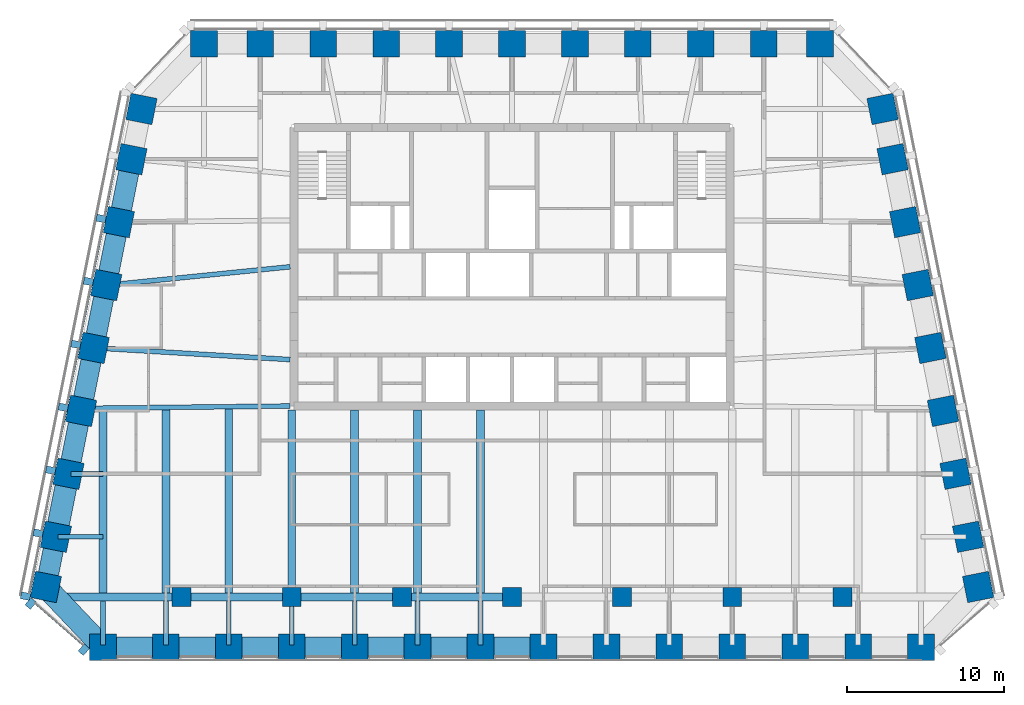
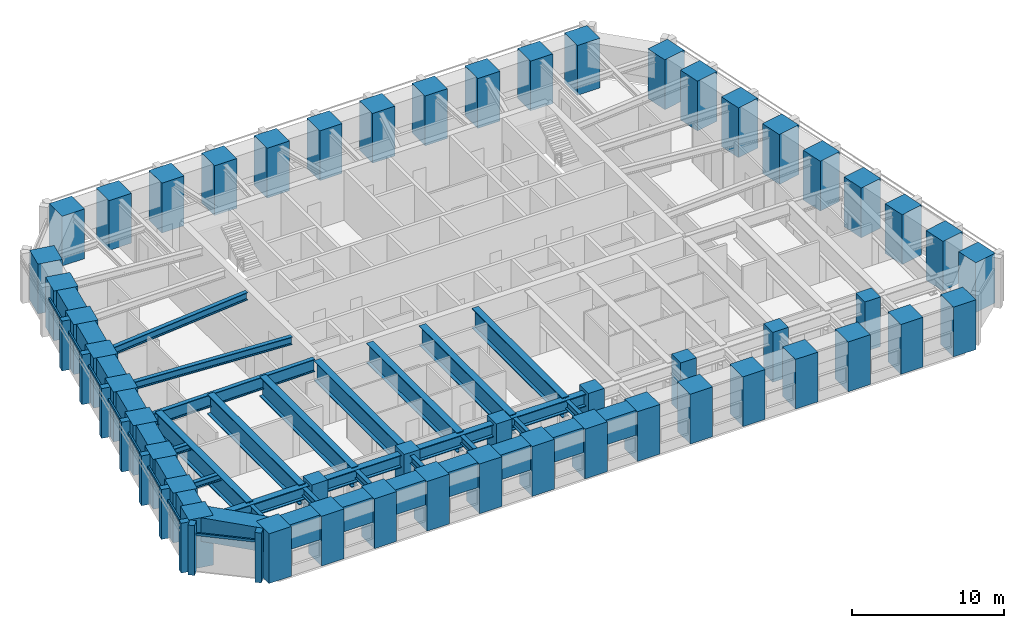
# One storey, part 1 of 13: 50 columns, 38 beams, 17 members, 2 elements without a shape of their own.
"""IFC4 building model written with IfcOpenShell, lengths in metres."""

from ifc_helpers import new_model, si_unit, direction, frame, origin, origin_2d, place, context, subcontext, project, spatial, rectangle, i_section, extrude, material, material_profile, profile_set, type_object, element, aggregate, save


model = new_model("IFC4")

# Units and contexts
model_context = context("Model", 3, precision=1e-05, world=origin(), true_north=direction((0.0, 1.0)))
body_context = subcontext(model_context, "Body", "Model", "MODEL_VIEW")
ifc_project = project(units=[si_unit("LENGTHUNIT", "METRE"), si_unit("AREAUNIT", "SQUARE_METRE"), si_unit("VOLUMEUNIT", "CUBIC_METRE"), si_unit("PLANEANGLEUNIT", "RADIAN"), si_unit("MASSUNIT", "GRAM", prefix="KILO")], contexts=[model_context])

# Site, building, storey
site_placement = place(None, origin())
site = spatial("IfcSite", under=ifc_project, at=site_placement, CompositionType="ELEMENT")
building_placement = place(site_placement, origin())
building = spatial("IfcBuilding", under=site, at=building_placement, Name="Isbrekke Arena Tower", CompositionType="ELEMENT")
storey_placement = place(building_placement, frame((0.0, 0.0, 280.0)))
storey = spatial("IfcBuildingStorey", under=building, at=storey_placement, Name="L65", CompositionType="ELEMENT", Elevation=280.0)

# Columns
ifc_material_1 = material(Name="Concrete B55 (C55/67)", Category="concrete")
ifc_material_profile_1 = material_profile(ifc_material_1, rectangle(XDim=1.199951171875, YDim=1.199951171875, at=origin_2d()), Name="RC 1200x1200")
ifc_profile_set_1 = profile_set([ifc_material_profile_1], Name="Concrete B55 (C55/67)")
column_type_1 = type_object("IfcColumnType", Name="C14 RC 1200 x 1200", PredefinedType="COLUMN", material=ifc_profile_set_1)
for number, where, z_axis, x_axis, name in (
    (1, (-21.0, -6.0, 0.0), (0.0, 0.0, 1.0), (1.0, 0.0, 0.0), "C14 I01"),
    (2, (-14.0, -6.0, 0.0), (0.0, 0.0, 1.0), (1.0, 0.0, 0.0), "C14 I02"),
    (3, (-7.0, -6.0, 0.0), (0.0, 0.0, 1.0), (1.0, 0.0, 0.0), "C14 I03"),
    (4, (0.0, -6.0, 0.0), (0.0, 0.0, 1.0), (1.0, 0.0, 0.0), "C14 I04"),
    (5, (7.0, -6.0, 0.0), (0.0, 0.0, 1.0), (1.0, 0.0, 0.0), "C14 I05"),
    (6, (14.0, -6.0, 0.0), (0.0, 0.0, 1.0), (1.0, 0.0, 0.0), "C14 I06"),
    (7, (21.0, -6.0, 0.0), (0.0, 0.0, 1.0), (1.0, 0.0, 0.0), "C14 I07"),
):
    element("IfcColumn", number, at=place(storey_placement, frame(where, z_axis=z_axis, x_axis=x_axis)), inside=storey, type_object=column_type_1, Name=name, PredefinedType="COLUMN", context=body_context, shape_type="SweptSolid", body=[
        extrude(rectangle(XDim=1.199951171875, YDim=1.199951171875, at=origin_2d()), origin(), (0.0, 0.0, 1.0), 4.0),
    ])
ifc_material_2 = material(Name="Concrete B55 (C55/67)", Category="concrete")
ifc_material_profile_2 = material_profile(ifc_material_2, rectangle(XDim=1.699951171875, YDim=1.699951171875, at=origin_2d()), Name="RC 1700x1700")
ifc_profile_set_2 = profile_set([ifc_material_profile_2], Name="Concrete B55 (C55/67)")
column_type_2 = type_object("IfcColumnType", Name="C5 RC 1700 x 1700", PredefinedType="COLUMN", material=ifc_profile_set_2)
for number, where, z_axis, x_axis, name in (
    (8, (-26.0, -9.175048828125, 0.0), (0.0, 0.0, 1.0), (1.0, 0.0, 0.0), "C5 S01"),
    (9, (-22.0, -9.175048828125, 0.0), (0.0, 0.0, 1.0), (1.0, 0.0, 0.0), "C5 S02"),
    (10, (-18.0, -9.175048828125, 0.0), (0.0, 0.0, 1.0), (1.0, 0.0, 0.0), "C5 S03"),
    (11, (-14.0, -9.175048828125, 0.0), (0.0, 0.0, 1.0), (1.0, 0.0, 0.0), "C5 S04"),
    (12, (-10.0, -9.175048828125, 0.0), (0.0, 0.0, 1.0), (1.0, 0.0, 0.0), "C5 S05"),
    (13, (-6.0, -9.175048828125, 0.0), (0.0, 0.0, 1.0), (1.0, 0.0, 0.0), "C5 S06"),
    (14, (-2.0, -9.175048828125, 0.0), (0.0, 0.0, 1.0), (1.0, 0.0, 0.0), "C5 S07"),
    (15, (2.0, -9.175048828125, 0.0), (0.0, 0.0, 1.0), (1.0, 0.0, 0.0), "C5 S08"),
    (16, (6.0, -9.175048828125, 0.0), (0.0, 0.0, 1.0), (1.0, 0.0, 0.0), "C5 S09"),
    (17, (10.0, -9.175048828125, 0.0), (0.0, 0.0, 1.0), (1.0, 0.0, 0.0), "C5 S10"),
    (18, (14.0, -9.175048828125, 0.0), (0.0, 0.0, 1.0), (1.0, 0.0, 0.0), "C5 S11"),
    (19, (18.0, -9.175048828125, 0.0), (0.0, 0.0, 1.0), (1.0, 0.0, 0.0), "C5 S12"),
    (20, (22.0, -9.175048828125, 0.0), (0.0, 0.0, 1.0), (1.0, 0.0, 0.0), "C5 S13"),
    (21, (26.0, -9.175048828125, 0.0), (0.0, 0.0, 1.0), (1.0, 0.0, 0.0), "C5 S14"),
    (22, (29.629150390625, -5.352783203125, 0.0), (0.0, 0.0, 1.0), (-0.196116135138, 0.980580675691, 0.0), "C5 E01"),
    (23, (28.990966796875, -2.161865234375, 0.0), (0.0, 0.0, 1.0), (-0.196116135138, 0.980580675691, 0.0), "C5 E02"),
    (24, (28.19091796875, 1.838134765625, 0.0), (0.0, 0.0, 1.0), (-0.196116135138, 0.980580675691, 0.0), "C5 E03"),
    (25, (27.39111328125, 5.838134765625, 0.0), (0.0, 0.0, 1.0), (-0.196116135138, 0.980580675691, 0.0), "C5 E04"),
    (26, (26.591064453125, 9.838134765625, 0.0), (0.0, 0.0, 1.0), (-0.196116135138, 0.980580675691, 0.0), "C5 E05"),
    (27, (25.791015625, 13.838134765625, 0.0), (0.0, 0.0, 1.0), (-0.196116135138, 0.980580675691, 0.0), "C5 E06"),
    (28, (24.990966796875, 17.838134765625, 0.0), (0.0, 0.0, 1.0), (-0.196116135138, 0.980580675691, 0.0), "C5 E07"),
    (29, (24.19091796875, 21.838134765625, 0.0), (0.0, 0.0, 1.0), (-0.196116135138, 0.980580675691, 0.0), "C5 E08"),
    (30, (23.552734375, 25.029296875, 0.0), (0.0, 0.0, 1.0), (-0.196116135138, 0.980580675691, 0.0), "C5 E09"),
    (31, (19.574951171875, 29.175048828125, 0.0), (0.0, 0.0, 1.0), (-1.0, 0.0, 0.0), "C5 N01"),
    (32, (16.0, 29.175048828125, 0.0), (0.0, 0.0, 1.0), (-1.0, 0.0, 0.0), "C5 N02"),
    (33, (12.0, 29.175048828125, 0.0), (0.0, 0.0, 1.0), (-1.0, 0.0, 0.0), "C5 N03"),
    (34, (8.0, 29.175048828125, 0.0), (0.0, 0.0, 1.0), (-1.0, 0.0, 0.0), "C5 N04"),
    (35, (4.0, 29.175048828125, 0.0), (0.0, 0.0, 1.0), (-1.0, 0.0, 0.0), "C5 N05"),
    (36, (0.0, 29.175048828125, 0.0), (0.0, 0.0, 1.0), (-1.0, 0.0, 0.0), "C5 N06"),
    (37, (-4.0, 29.175048828125, 0.0), (0.0, 0.0, 1.0), (-1.0, 0.0, 0.0), "C5 N07"),
    (38, (-8.0, 29.175048828125, 0.0), (0.0, 0.0, 1.0), (-1.0, 0.0, 0.0), "C5 N08"),
    (39, (-12.0, 29.175048828125, 0.0), (0.0, 0.0, 1.0), (-1.0, 0.0, 0.0), "C5 N09"),
    (40, (-16.0, 29.175048828125, 0.0), (0.0, 0.0, 1.0), (-1.0, 0.0, 0.0), "C5 N10"),
    (41, (-19.574951171875, 29.175048828125, 0.0), (0.0, 0.0, 1.0), (-1.0, 0.0, 0.0), "C5 N11"),
    (42, (-23.552734375, 25.029296875, 0.0), (0.0, 0.0, 1.0), (-0.196116135138, -0.980580675691, 0.0), "C5 W01"),
    (43, (-24.19091796875, 21.838134765625, 0.0), (0.0, 0.0, 1.0), (-0.196116135138, -0.980580675691, 0.0), "C5 W02"),
    (44, (-24.990966796875, 17.838134765625, 0.0), (0.0, 0.0, 1.0), (-0.196116135138, -0.980580675691, 0.0), "C5 W03"),
    (45, (-25.791015625, 13.838134765625, 0.0), (0.0, 0.0, 1.0), (-0.196116135138, -0.980580675691, 0.0), "C5 W04"),
    (46, (-26.591064453125, 9.838134765625, 0.0), (0.0, 0.0, 1.0), (-0.196116135138, -0.980580675691, 0.0), "C5 W05"),
    (47, (-27.39111328125, 5.838134765625, 0.0), (0.0, 0.0, 1.0), (-0.196116135138, -0.980580675691, 0.0), "C5 W06"),
    (48, (-28.19091796875, 1.838134765625, 0.0), (0.0, 0.0, 1.0), (-0.196116135138, -0.980580675691, 0.0), "C5 W07"),
    (49, (-28.990966796875, -2.161865234375, 0.0), (0.0, 0.0, 1.0), (-0.196116135138, -0.980580675691, 0.0), "C5 W08"),
    (50, (-29.629150390625, -5.352783203125, 0.0), (0.0, 0.0, 1.0), (-0.196116135138, -0.980580675691, 0.0), "C5 W09"),
):
    element("IfcColumn", number, at=place(storey_placement, frame(where, z_axis=z_axis, x_axis=x_axis)), inside=storey, type_object=column_type_2, Name=name, PredefinedType="COLUMN", context=body_context, shape_type="SweptSolid", body=[
        extrude(rectangle(XDim=1.699951171875, YDim=1.699951171875, at=origin_2d()), origin(), (0.0, 0.0, 1.0), 4.0),
    ])

# Beams
ifc_material_3 = material(Name="Steel S355", Category="steel")
ifc_material_profile_3 = material_profile(ifc_material_3, i_section(OverallWidth=0.304931640625, OverallDepth=0.6201171875, WebThickness=0.02099609375, FlangeThickness=0.0400390625, FilletRadius=0.027099609375, at=origin_2d()), Name="HEM 600")
ifc_profile_set_3 = profile_set([ifc_material_profile_3], Name="Steel S355")
beam_type_1 = type_object("IfcBeamType", Name="B4 HEM 600", PredefinedType="BEAM", material=ifc_profile_set_3)
for number, where, z_axis, x_axis, name in (
    (51, (-26.0, -9.02490234375, 3.43994140625), (0.0, 1.0, 0.0), (-1.0, 0.0, 0.0), "B4 beam S-S01 L65"),
    (52, (-22.0, -9.02490234375, 3.43994140625), (0.0, 1.0, 0.0), (-1.0, 0.0, 0.0), "B4 beam S-S02 L65"),
    (53, (-18.0, -9.02490234375, 3.43994140625), (0.0, 1.0, 0.0), (-1.0, 0.0, 0.0), "B4 beam S-S03 L65"),
):
    element("IfcBeam", number, at=place(storey_placement, frame(where, z_axis=z_axis, x_axis=x_axis)), inside=storey, type_object=beam_type_1, Name=name, PredefinedType="BEAM", context=body_context, shape_type="SweptSolid", body=[
        extrude(i_section(OverallWidth=0.304931640625, OverallDepth=0.6201171875, WebThickness=0.02099609375, FlangeThickness=0.0400390625, FilletRadius=0.027099609375, at=origin_2d()), origin(), (0.0, 0.0, 1.0), 2.77490234375),
    ])
beam_1_placement = place(storey_placement, frame((-14.0, -9.02490234375, 3.43994140625), z_axis=(0.0, 1.0, 0.0), x_axis=(-1.0, 0.0, 0.0)))
element("IfcBeam", 54, at=beam_1_placement, inside=storey, type_object=beam_type_1, Name="B4 beam S-S04 L65", PredefinedType="BEAM", context=body_context, shape_type="SweptSolid", body=[
    extrude(i_section(OverallWidth=0.304931640625, OverallDepth=0.6201171875, WebThickness=0.02099609375, FlangeThickness=0.0400390625, FilletRadius=0.027099609375, at=origin_2d()), origin(), (0.0, 0.0, 1.0), 2.875),
])
for number, where, z_axis, x_axis, name in (
    (55, (-10.0, -9.02490234375, 3.43994140625), (0.0, 1.0, 0.0), (-1.0, 0.0, 0.0), "B4 beam S-S05 L65"),
    (56, (-6.0, -9.02490234375, 3.43994140625), (0.0, 1.0, 0.0), (-1.0, 0.0, 0.0), "B4 beam S-S06 L65"),
    (57, (-2.0, -9.02490234375, 3.43994140625), (0.0, 1.0, 0.0), (-1.0, 0.0, 0.0), "B4 beam S-S07 L65"),
):
    element("IfcBeam", number, at=place(storey_placement, frame(where, z_axis=z_axis, x_axis=x_axis)), inside=storey, type_object=beam_type_1, Name=name, PredefinedType="BEAM", context=body_context, shape_type="SweptSolid", body=[
        extrude(i_section(OverallWidth=0.304931640625, OverallDepth=0.6201171875, WebThickness=0.02099609375, FlangeThickness=0.0400390625, FilletRadius=0.027099609375, at=origin_2d()), origin(), (0.0, 0.0, 1.0), 2.77490234375),
    ])
beam_2_placement = place(storey_placement, frame((-25.625732421875, 13.83984375, 3.5400390625), z_axis=(0.994972081505, 0.100152668587, 0.0), x_axis=(-0.100152668587, 0.994972081505, 0.0)))
element("IfcBeam", 58, at=beam_2_placement, inside=storey, type_object=beam_type_1, Name="B4 beam E-W04 L65", PredefinedType="BEAM", context=body_context, shape_type="SweptSolid", body=[
    extrude(i_section(OverallWidth=0.304931640625, OverallDepth=0.6201171875, WebThickness=0.02099609375, FlangeThickness=0.0400390625, FilletRadius=0.027099609375, at=origin_2d()), origin(), (0.0, 0.0, 1.0), 11.583984375),
])
beam_3_placement = place(storey_placement, frame((-26.431884765625, 9.837646484375, 3.5400390625), z_axis=(0.998216240514, -0.059702070095, 0.0), x_axis=(0.059702070095, 0.998216240514, 0.0)))
element("IfcBeam", 59, at=beam_3_placement, inside=storey, type_object=beam_type_1, Name="B4 beam E-W05 L65", PredefinedType="BEAM", context=body_context, shape_type="SweptSolid", body=[
    extrude(i_section(OverallWidth=0.304931640625, OverallDepth=0.6201171875, WebThickness=0.02099609375, FlangeThickness=0.0400390625, FilletRadius=0.027099609375, at=origin_2d()), origin(), (0.0, 0.0, 1.0), 12.353759765625),
])
ifc_material_4 = material(Name="Steel S355", Category="steel")
ifc_material_profile_4 = material_profile(ifc_material_4, i_section(OverallWidth=0.305908203125, OverallDepth=0.52392578125, WebThickness=0.02099609375, FlangeThickness=0.0400390625, FilletRadius=0.027099609375, at=origin_2d()), Name="HEM 500")
ifc_profile_set_4 = profile_set([ifc_material_profile_4], Name="Steel S355")
beam_type_2 = type_object("IfcBeamType", Name="B5 HEM 500", PredefinedType="BEAM", material=ifc_profile_set_4)
beam_4_placement = place(storey_placement, frame((-28.041015625, 1.838134765625, 3.587890625), z_axis=(1.0, 0.0, 0.0), x_axis=(0.0, 1.0, 0.0)))
element("IfcBeam", 60, at=beam_4_placement, inside=storey, type_object=beam_type_2, Name="B5 beam E-W07 L65", PredefinedType="BEAM", context=body_context, shape_type="SweptSolid", body=[
    extrude(i_section(OverallWidth=0.305908203125, OverallDepth=0.52392578125, WebThickness=0.02099609375, FlangeThickness=0.0400390625, FilletRadius=0.027099609375, at=origin_2d()), origin(), (0.0, 0.0, 1.0), 2.041015625),
])
beam_5_placement = place(storey_placement, frame((-28.841064453125, -2.161865234375, 3.587890625), z_axis=(1.0, 0.0, 0.0), x_axis=(0.0, 1.0, 0.0)))
element("IfcBeam", 61, at=beam_5_placement, inside=storey, type_object=beam_type_2, Name="B5 beam E-W08 L65", PredefinedType="BEAM", context=body_context, shape_type="SweptSolid", body=[
    extrude(i_section(OverallWidth=0.305908203125, OverallDepth=0.52392578125, WebThickness=0.02099609375, FlangeThickness=0.0400390625, FilletRadius=0.027099609375, at=origin_2d()), origin(), (0.0, 0.0, 1.0), 2.841064453125),
])

# Curtain wall, members
ifc_material_5 = material(Name="Glazed aluminium curtain wall", Category="aluminium")
curtain_wall_type = type_object("IfcCurtainWallType", Name="CWT TOWER CURTAIN WALL TOP ZONE", PredefinedType="USERDEFINED", material=ifc_material_5)
curtain_wall_1_placement = place(storey_placement, origin())
curtain_wall_1 = element("IfcCurtainWall", 62, at=curtain_wall_1_placement, inside=storey, type_object=curtain_wall_type, Name="CWT curtain wall L65-W", ObjectType="TOWER CURTAIN WALL TOP ZONE", PredefinedType="USERDEFINED")
ifc_material_6 = material(Name="Copper-clad aluminium mullion", Category="aluminium")
ifc_material_profile_5 = material_profile(ifc_material_6, rectangle(XDim=0.449951171875, YDim=0.60009765625, at=origin_2d()), Name="PIER 450X600")
ifc_profile_set_5 = profile_set([ifc_material_profile_5], Name="Copper-clad aluminium mullion")
member_type_1 = type_object("IfcMemberType", Name="CWT-M PIER MULLION 450 x 600", PredefinedType="MULLION", material=ifc_profile_set_5)
member_1_placement = place(storey_placement, frame((-26.11865234375, 18.063720703125, 0.0), z_axis=(0.0, 0.0, 1.0), x_axis=(-0.196116135138, -0.980580675691, 0.0)))
member_1 = element("IfcMember", 63, at=member_1_placement, type_object=member_type_1, Name="CWT-M mullion 3", PredefinedType="MULLION", context=body_context, shape_type="SweptSolid", body=[
    extrude(rectangle(XDim=0.449951171875, YDim=0.60009765625, at=origin_2d()), origin(), (0.0, 0.0, 1.0), 4.0),
])
member_2_placement = place(storey_placement, frame((-26.918701171875, 14.063720703125, 0.0), z_axis=(0.0, 0.0, 1.0), x_axis=(-0.196116135138, -0.980580675691, 0.0)))
member_2 = element("IfcMember", 64, at=member_2_placement, type_object=member_type_1, Name="CWT-M mullion 4", PredefinedType="MULLION", context=body_context, shape_type="SweptSolid", body=[
    extrude(rectangle(XDim=0.449951171875, YDim=0.60009765625, at=origin_2d()), origin(), (0.0, 0.0, 1.0), 4.0),
])
member_3_placement = place(storey_placement, frame((-27.71875, 10.063720703125, 0.0), z_axis=(0.0, 0.0, 1.0), x_axis=(-0.196116135138, -0.980580675691, 0.0)))
member_3 = element("IfcMember", 65, at=member_3_placement, type_object=member_type_1, Name="CWT-M mullion 5", PredefinedType="MULLION", context=body_context, shape_type="SweptSolid", body=[
    extrude(rectangle(XDim=0.449951171875, YDim=0.60009765625, at=origin_2d()), origin(), (0.0, 0.0, 1.0), 4.0),
])
member_4_placement = place(storey_placement, frame((-28.518798828125, 6.063720703125, 0.0), z_axis=(0.0, 0.0, 1.0), x_axis=(-0.196116135138, -0.980580675691, 0.0)))
member_4 = element("IfcMember", 66, at=member_4_placement, type_object=member_type_1, Name="CWT-M mullion 6", PredefinedType="MULLION", context=body_context, shape_type="SweptSolid", body=[
    extrude(rectangle(XDim=0.449951171875, YDim=0.60009765625, at=origin_2d()), origin(), (0.0, 0.0, 1.0), 4.0),
])
member_5_placement = place(storey_placement, frame((-29.318603515625, 2.063720703125, 0.0), z_axis=(0.0, 0.0, 1.0), x_axis=(-0.196116135138, -0.980580675691, 0.0)))
member_5 = element("IfcMember", 67, at=member_5_placement, type_object=member_type_1, Name="CWT-M mullion 7", PredefinedType="MULLION", context=body_context, shape_type="SweptSolid", body=[
    extrude(rectangle(XDim=0.449951171875, YDim=0.60009765625, at=origin_2d()), origin(), (0.0, 0.0, 1.0), 4.0),
])
member_6_placement = place(storey_placement, frame((-30.11865234375, -1.936279296875, 0.0), z_axis=(0.0, 0.0, 1.0), x_axis=(-0.196116135138, -0.980580675691, 0.0)))
member_6 = element("IfcMember", 68, at=member_6_placement, type_object=member_type_1, Name="CWT-M mullion 8", PredefinedType="MULLION", context=body_context, shape_type="SweptSolid", body=[
    extrude(rectangle(XDim=0.449951171875, YDim=0.60009765625, at=origin_2d()), origin(), (0.0, 0.0, 1.0), 4.0),
])
member_7_placement = place(storey_placement, frame((-30.918701171875, -5.936279296875, 0.0), z_axis=(0.0, 0.0, 1.0), x_axis=(-0.196116135138, -0.980580675691, 0.0)))
member_7 = element("IfcMember", 69, at=member_7_placement, type_object=member_type_1, Name="CWT-M mullion 9", PredefinedType="MULLION", context=body_context, shape_type="SweptSolid", body=[
    extrude(rectangle(XDim=0.449951171875, YDim=0.60009765625, at=origin_2d()), origin(), (0.0, 0.0, 1.0), 4.0),
])

curtain_wall_2_placement = place(storey_placement, origin())
curtain_wall_2 = element("IfcCurtainWall", 70, at=curtain_wall_2_placement, inside=storey, type_object=curtain_wall_type, Name="CWT curtain wall L65-WS", ObjectType="TOWER CURTAIN WALL TOP ZONE", PredefinedType="USERDEFINED")
member_8_placement = place(storey_placement, frame((-30.59228515625, -6.404052734375, 0.0), z_axis=(0.0, 0.0, 1.0), x_axis=(0.754605522159, -0.65617871493, 0.0)))
member_8 = element("IfcMember", 71, at=member_8_placement, type_object=member_type_1, Name="CWT-M mullion 1", PredefinedType="MULLION", context=body_context, shape_type="SweptSolid", body=[
    extrude(rectangle(XDim=0.449951171875, YDim=0.60009765625, at=origin_2d()), origin(), (0.0, 0.0, 1.0), 4.0),
])
member_9_placement = place(storey_placement, frame((-27.21435546875, -9.341552734375, 0.0), z_axis=(0.0, 0.0, 1.0), x_axis=(0.754605522159, -0.65617871493, 0.0)))
member_9 = element("IfcMember", 72, at=member_9_placement, type_object=member_type_1, Name="CWT-M mullion 2", PredefinedType="MULLION", context=body_context, shape_type="SweptSolid", body=[
    extrude(rectangle(XDim=0.449951171875, YDim=0.60009765625, at=origin_2d()), origin(), (0.0, 0.0, 1.0), 4.0),
])

# Member
ifc_material_7 = material(Name="Aluminium transom", Category="aluminium")
ifc_material_profile_6 = material_profile(ifc_material_7, rectangle(XDim=0.1201171875, YDim=0.199951171875, at=origin_2d()), Name="TRANSOM 120X200")
ifc_profile_set_6 = profile_set([ifc_material_profile_6], Name="Aluminium transom")
member_type_2 = type_object("IfcMemberType", Name="CWT-T TRANSOM 120 x 200", PredefinedType="USERDEFINED", material=ifc_profile_set_6)
member_10_placement = place(storey_placement, frame((-25.166748046875, 21.803955078125, 3.0), z_axis=(-0.196090262229, -0.980585849918, 0.0), x_axis=(0.980585849918, -0.196090262229, 0.0)))
member_10 = element("IfcMember", 73, at=member_10_placement, type_object=member_type_2, Name="CWT-T transom 2", ObjectType="TRANSOM", PredefinedType="USERDEFINED", context=body_context, shape_type="SweptSolid", body=[
    extrude(rectangle(XDim=0.1201171875, YDim=0.199951171875, at=origin_2d()), origin(), (0.0, 0.0, 1.0), 3.62939453125),
])

member_11_placement = place(storey_placement, frame((-25.966796875, 17.803955078125, 3.0), z_axis=(-0.196090262229, -0.980585849918, 0.0), x_axis=(0.980585849918, -0.196090262229, 0.0)))
member_11 = element("IfcMember", 74, at=member_11_placement, type_object=member_type_2, Name="CWT-T transom 3", ObjectType="TRANSOM", PredefinedType="USERDEFINED", context=body_context, shape_type="SweptSolid", body=[
    extrude(rectangle(XDim=0.1201171875, YDim=0.199951171875, at=origin_2d()), origin(), (0.0, 0.0, 1.0), 3.62939453125),
])

member_12_placement = place(storey_placement, frame((-26.7666015625, 13.803955078125, 3.0), z_axis=(-0.196154943734, -0.980572913173, 0.0), x_axis=(0.980572913173, -0.196154943734, 0.0)))
member_12 = element("IfcMember", 75, at=member_12_placement, type_object=member_type_2, Name="CWT-T transom 4", ObjectType="TRANSOM", PredefinedType="USERDEFINED", context=body_context, shape_type="SweptSolid", body=[
    extrude(rectangle(XDim=0.1201171875, YDim=0.199951171875, at=origin_2d()), origin(), (0.0, 0.0, 1.0), 3.62939453125),
])

member_13_placement = place(storey_placement, frame((-27.566650390625, 9.803955078125, 3.0), z_axis=(-0.196154943734, -0.980572913173, 0.0), x_axis=(0.980572913173, -0.196154943734, 0.0)))
member_13 = element("IfcMember", 76, at=member_13_placement, type_object=member_type_2, Name="CWT-T transom 5", ObjectType="TRANSOM", PredefinedType="USERDEFINED", context=body_context, shape_type="SweptSolid", body=[
    extrude(rectangle(XDim=0.1201171875, YDim=0.199951171875, at=origin_2d()), origin(), (0.0, 0.0, 1.0), 3.62939453125),
])

member_14_placement = place(storey_placement, frame((-28.36669921875, 5.803955078125, 3.0), z_axis=(-0.196090262229, -0.980585849918, 0.0), x_axis=(0.980585849918, -0.196090262229, 0.0)))
member_14 = element("IfcMember", 77, at=member_14_placement, type_object=member_type_2, Name="CWT-T transom 6", ObjectType="TRANSOM", PredefinedType="USERDEFINED", context=body_context, shape_type="SweptSolid", body=[
    extrude(rectangle(XDim=0.1201171875, YDim=0.199951171875, at=origin_2d()), origin(), (0.0, 0.0, 1.0), 3.62939453125),
])

member_15_placement = place(storey_placement, frame((-29.166748046875, 1.803955078125, 3.0), z_axis=(-0.196090262229, -0.980585849918, 0.0), x_axis=(0.980585849918, -0.196090262229, 0.0)))
member_15 = element("IfcMember", 78, at=member_15_placement, type_object=member_type_2, Name="CWT-T transom 7", ObjectType="TRANSOM", PredefinedType="USERDEFINED", context=body_context, shape_type="SweptSolid", body=[
    extrude(rectangle(XDim=0.1201171875, YDim=0.199951171875, at=origin_2d()), origin(), (0.0, 0.0, 1.0), 3.62939453125),
])

member_16_placement = place(storey_placement, frame((-29.966796875, -2.196044921875, 3.0), z_axis=(-0.196090262229, -0.980585849918, 0.0), x_axis=(0.980585849918, -0.196090262229, 0.0)))
member_16 = element("IfcMember", 79, at=member_16_placement, type_object=member_type_2, Name="CWT-T transom 8", ObjectType="TRANSOM", PredefinedType="USERDEFINED", context=body_context, shape_type="SweptSolid", body=[
    extrude(rectangle(XDim=0.1201171875, YDim=0.199951171875, at=origin_2d()), origin(), (0.0, 0.0, 1.0), 3.62939453125),
])

aggregate(curtain_wall_1, [member_1, member_2, member_3, member_4, member_5, member_6, member_7, member_10, member_11, member_12, member_13, member_14, member_15, member_16])

member_17_placement = place(storey_placement, frame((-30.29150390625, -6.40087890625, 3.0), z_axis=(0.754623796266, -0.656157699116, 0.0), x_axis=(0.656157699116, 0.754623796266, 0.0)))
member_17 = element("IfcMember", 80, at=member_17_placement, type_object=member_type_2, Name="CWT-T transom 1", ObjectType="TRANSOM", PredefinedType="USERDEFINED", context=body_context, shape_type="SweptSolid", body=[
    extrude(rectangle(XDim=0.1201171875, YDim=0.199951171875, at=origin_2d()), origin(), (0.0, 0.0, 1.0), 4.026611328125),
])

aggregate(curtain_wall_2, [member_8, member_9, member_17])

# Beams
ifc_material_8 = material(Name="Steel S355", Category="steel")
ifc_material_profile_7 = material_profile(ifc_material_8, i_section(OverallWidth=0.302001953125, OverallDepth=1.008056640625, WebThickness=0.02099609375, FlangeThickness=0.0400390625, FilletRadius=0.030029296875, at=origin_2d()), Name="HEM 1000")
ifc_profile_set_7 = profile_set([ifc_material_profile_7], Name="Steel S355")
beam_type_3 = type_object("IfcBeamType", Name="G2 HEM 1000", PredefinedType="BEAM", material=ifc_profile_set_7)
beam_6_placement = place(storey_placement, frame((-14.10009765625, 6.14990234375, 3.345947265625), z_axis=(-0.999936387749, -0.011279204565, 0.0), x_axis=(0.011279204565, -0.999936387749, 0.0)))
element("IfcBeam", 81, at=beam_6_placement, inside=storey, type_object=beam_type_3, Name="G2 beam G2-W L65", PredefinedType="BEAM", context=body_context, shape_type="SweptSolid", body=[
    extrude(i_section(OverallWidth=0.302001953125, OverallDepth=1.008056640625, WebThickness=0.02099609375, FlangeThickness=0.0400390625, FilletRadius=0.030029296875, at=origin_2d()), origin(), (0.0, 0.0, 1.0), 13.2900390625),
])
ifc_material_9 = material(Name="Steel S355", Category="steel")
ifc_material_profile_8 = material_profile(ifc_material_9, i_section(OverallWidth=0.5, OverallDepth=1.0, WebThickness=0.0400390625, FlangeThickness=0.06005859375, at=origin_2d()), Name="PG 1000x500")
ifc_profile_set_8 = profile_set([ifc_material_profile_8], Name="Steel S355")
beam_type_4 = type_object("IfcBeamType", Name="G4 PG 1000x500", PredefinedType="BEAM", material=ifc_profile_set_8)
beam_7_placement = place(storey_placement, frame((-29.629150390625, -6.0, 3.25), z_axis=(1.0, 0.0, 0.0), x_axis=(0.0, 1.0, 0.0)))
element("IfcBeam", 82, at=beam_7_placement, inside=storey, type_object=beam_type_4, Name="G4 beam G1-01 L65", PredefinedType="BEAM", context=body_context, shape_type="SweptSolid", body=[
    extrude(i_section(OverallWidth=0.5, OverallDepth=1.0, WebThickness=0.0400390625, FlangeThickness=0.06005859375, at=origin_2d()), origin(), (0.0, 0.0, 1.0), 8.479248046875),
])
for number, where, z_axis, x_axis, name in (
    (83, (-20.85009765625, -6.0, 3.25), (1.0, 0.0, 0.0), (0.0, 1.0, 0.0), "G4 beam G1-02 L65"),
    (84, (-13.85009765625, -6.0, 3.25), (1.0, 0.0, 0.0), (0.0, 1.0, 0.0), "G4 beam G1-03 L65"),
    (85, (-6.85009765625, -6.0, 3.25), (1.0, 0.0, 0.0), (0.0, 1.0, 0.0), "G4 beam G1-04 L65"),
):
    element("IfcBeam", number, at=place(storey_placement, frame(where, z_axis=z_axis, x_axis=x_axis)), inside=storey, type_object=beam_type_4, Name=name, PredefinedType="BEAM", context=body_context, shape_type="SweptSolid", body=[
        extrude(i_section(OverallWidth=0.5, OverallDepth=1.0, WebThickness=0.0400390625, FlangeThickness=0.06005859375, at=origin_2d()), origin(), (0.0, 0.0, 1.0), 6.7001953125),
    ])
ifc_material_10 = material(Name="Concrete B55 (C55/67)", Category="concrete")
ifc_material_profile_9 = material_profile(ifc_material_10, rectangle(XDim=1.300048828125, YDim=2.0, at=origin_2d()), Name="RC 1300x2000")
ifc_profile_set_9 = profile_set([ifc_material_profile_9], Name="Concrete B55 (C55/67)")
beam_type_5 = type_object("IfcBeamType", Name="SB4 RC 1300 x 2000", PredefinedType="SPANDREL", material=ifc_profile_set_9)
for number, where, z_axis, x_axis, name in (
    (86, (-25.85009765625, -9.175048828125, 3.0), (1.0, 0.0, 0.0), (0.0, 1.0, 0.0), "SB4 spandrel S01-S02 L65"),
    (87, (-21.85009765625, -9.175048828125, 3.0), (1.0, 0.0, 0.0), (0.0, 1.0, 0.0), "SB4 spandrel S02-S03 L65"),
    (88, (-17.85009765625, -9.175048828125, 3.0), (1.0, 0.0, 0.0), (0.0, 1.0, 0.0), "SB4 spandrel S03-S04 L65"),
    (89, (-13.85009765625, -9.175048828125, 3.0), (1.0, 0.0, 0.0), (0.0, 1.0, 0.0), "SB4 spandrel S04-S05 L65"),
    (90, (-9.85009765625, -9.175048828125, 3.0), (1.0, 0.0, 0.0), (0.0, 1.0, 0.0), "SB4 spandrel S05-S06 L65"),
    (91, (-5.85009765625, -9.175048828125, 3.0), (1.0, 0.0, 0.0), (0.0, 1.0, 0.0), "SB4 spandrel S06-S07 L65"),
    (92, (-1.85009765625, -9.175048828125, 3.0), (1.0, 0.0, 0.0), (0.0, 1.0, 0.0), "SB4 spandrel S07-S08 L65"),
):
    element("IfcBeam", number, at=place(storey_placement, frame(where, z_axis=z_axis, x_axis=x_axis)), inside=storey, type_object=beam_type_5, Name=name, PredefinedType="SPANDREL", context=body_context, shape_type="SweptSolid", body=[
        extrude(rectangle(XDim=1.300048828125, YDim=2.0, at=origin_2d()), origin(), (0.0, 0.0, 1.0), 3.7001953125),
    ])
for number, where, z_axis, x_axis, name in (
    (93, (-24.220458984375, 21.691162109375, 3.0), (-0.196128558387, -0.980578190959, 0.0), (0.980578190959, -0.196128558387, 0.0), "SB4 spandrel W02-W03 L65"),
    (94, (-25.0205078125, 17.691162109375, 3.0), (-0.196128558387, -0.980578190959, 0.0), (0.980578190959, -0.196128558387, 0.0), "SB4 spandrel W03-W04 L65"),
):
    element("IfcBeam", number, at=place(storey_placement, frame(where, z_axis=z_axis, x_axis=x_axis)), inside=storey, type_object=beam_type_5, Name=name, PredefinedType="SPANDREL", context=body_context, shape_type="SweptSolid", body=[
        extrude(rectangle(XDim=1.300048828125, YDim=2.0, at=origin_2d()), origin(), (0.0, 0.0, 1.0), 3.779296875),
    ])
beam_8_placement = place(storey_placement, frame((-25.820556640625, 13.691162109375, 3.0), z_axis=(-0.1960664412, -0.980590613169, 0.0), x_axis=(0.980590613169, -0.1960664412, 0.0)))
element("IfcBeam", 95, at=beam_8_placement, inside=storey, type_object=beam_type_5, Name="SB4 spandrel W04-W05 L65", PredefinedType="SPANDREL", context=body_context, shape_type="SweptSolid", body=[
    extrude(rectangle(XDim=1.300048828125, YDim=2.0, at=origin_2d()), origin(), (0.0, 0.0, 1.0), 3.779052734375),
])
for number, where, z_axis, x_axis, name in (
    (96, (-26.620361328125, 9.691162109375, 3.0), (-0.196128558387, -0.980578190959, 0.0), (0.980578190959, -0.196128558387, 0.0), "SB4 spandrel W05-W06 L65"),
    (97, (-27.42041015625, 5.691162109375, 3.0), (-0.196128558387, -0.980578190959, 0.0), (0.980578190959, -0.196128558387, 0.0), "SB4 spandrel W06-W07 L65"),
):
    element("IfcBeam", number, at=place(storey_placement, frame(where, z_axis=z_axis, x_axis=x_axis)), inside=storey, type_object=beam_type_5, Name=name, PredefinedType="SPANDREL", context=body_context, shape_type="SweptSolid", body=[
        extrude(rectangle(XDim=1.300048828125, YDim=2.0, at=origin_2d()), origin(), (0.0, 0.0, 1.0), 3.779296875),
    ])
beam_9_placement = place(storey_placement, frame((-28.829345703125, -1.352783203125, 3.0), z_axis=(-0.196092237713, -0.980585454873, 0.0), x_axis=(0.980585454873, -0.196092237713, 0.0)))
element("IfcBeam", 98, at=beam_9_placement, inside=storey, type_object=beam_type_5, Name="SB4 spandrel W08-W09 L65", PredefinedType="SPANDREL", context=body_context, shape_type="SweptSolid", body=[
    extrude(rectangle(XDim=1.300048828125, YDim=2.0, at=origin_2d()), origin(), (0.0, 0.0, 1.0), 3.92919921875),
])
ifc_material_11 = material(Name="Concrete B55 (C55/67)", Category="concrete")
ifc_material_profile_10 = material_profile(ifc_material_11, rectangle(XDim=1.39990234375, YDim=1.89990234375, at=origin_2d()), Name="RC 1400 x 1900")
ifc_profile_set_10 = profile_set([ifc_material_profile_10], Name="Concrete B55 (C55/67)")
beam_type_6 = type_object("IfcBeamType", Name="SB5 RC 1400  x  1900", PredefinedType="SPANDREL", material=ifc_profile_set_10)
beam_10_placement = place(storey_placement, frame((-28.220458984375, 1.691162109375, 3.050048828125), z_axis=(-0.196146384009, -0.980574625432, 0.0), x_axis=(0.980574625432, -0.196146384009, 0.0)))
element("IfcBeam", 99, at=beam_10_placement, inside=storey, type_object=beam_type_6, Name="SB5 spandrel W07-W08 L65", PredefinedType="SPANDREL", context=body_context, shape_type="SweptSolid", body=[
    extrude(rectangle(XDim=1.39990234375, YDim=1.89990234375, at=origin_2d()), origin(), (0.0, 0.0, 1.0), 3.104248046875),
])
beam_11_placement = place(storey_placement, frame((-29.52587890625, -5.461669921875, 3.050048828125), z_axis=(0.688573884881, -0.725166191339, 0.0), x_axis=(0.725166191339, 0.688573884881, 0.0)))
element("IfcBeam", 100, at=beam_11_placement, inside=storey, type_object=beam_type_6, Name="SB5 spandrel W09-S01 L65", PredefinedType="SPANDREL", context=body_context, shape_type="SweptSolid", body=[
    extrude(rectangle(XDim=1.39990234375, YDim=1.89990234375, at=origin_2d()), origin(), (0.0, 0.0, 1.0), 4.970458984375),
])
ifc_material_12 = material(Name="Steel S355", Category="steel")
ifc_material_profile_11 = material_profile(ifc_material_12, i_section(OverallWidth=0.5, OverallDepth=1.60009765625, WebThickness=0.030029296875, FlangeThickness=0.06005859375, at=origin_2d()), Name="PG 1600x500")
ifc_profile_set_11 = profile_set([ifc_material_profile_11], Name="Steel S355")
beam_type_7 = type_object("IfcBeamType", Name="TG1 PG 1600x500", PredefinedType="BEAM", material=ifc_profile_set_11)
beam_12_placement = place(storey_placement, frame((-26.0, -6.0, 3.050048828125), z_axis=(0.0, 1.0, 0.0), x_axis=(-1.0, 0.0, 0.0)))
element("IfcBeam", 101, at=beam_12_placement, inside=storey, type_object=beam_type_7, Name="TG1 transfer girder C-M01 L65", PredefinedType="BEAM", context=body_context, shape_type="SweptSolid", body=[
    extrude(i_section(OverallWidth=0.5, OverallDepth=1.60009765625, WebThickness=0.030029296875, FlangeThickness=0.06005859375, at=origin_2d()), origin(), (0.0, 0.0, 1.0), 12.015625),
])
beam_13_placement = place(storey_placement, frame((-22.0, -6.0, 3.050048828125), z_axis=(0.0, 1.0, 0.0), x_axis=(-1.0, 0.0, 0.0)))
element("IfcBeam", 102, at=beam_13_placement, inside=storey, type_object=beam_type_7, Name="TG1 transfer girder C-M02 L65", PredefinedType="BEAM", context=body_context, shape_type="SweptSolid", body=[
    extrude(i_section(OverallWidth=0.5, OverallDepth=1.60009765625, WebThickness=0.030029296875, FlangeThickness=0.06005859375, at=origin_2d()), origin(), (0.0, 0.0, 1.0), 12.060791015625),
])
beam_14_placement = place(storey_placement, frame((-18.0, -6.0, 3.050048828125), z_axis=(0.0, 1.0, 0.0), x_axis=(-1.0, 0.0, 0.0)))
element("IfcBeam", 103, at=beam_14_placement, inside=storey, type_object=beam_type_7, Name="TG1 transfer girder C-M03 L65", PredefinedType="BEAM", context=body_context, shape_type="SweptSolid", body=[
    extrude(i_section(OverallWidth=0.5, OverallDepth=1.60009765625, WebThickness=0.030029296875, FlangeThickness=0.06005859375, at=origin_2d()), origin(), (0.0, 0.0, 1.0), 12.10595703125),
])
beam_15_placement = place(storey_placement, frame((-14.0, -5.85009765625, 3.050048828125), z_axis=(0.0, 1.0, 0.0), x_axis=(-1.0, 0.0, 0.0)))
element("IfcBeam", 104, at=beam_15_placement, inside=storey, type_object=beam_type_7, Name="TG1 transfer girder C-M04 L65", PredefinedType="BEAM", context=body_context, shape_type="SweptSolid", body=[
    extrude(i_section(OverallWidth=0.5, OverallDepth=1.60009765625, WebThickness=0.030029296875, FlangeThickness=0.06005859375, at=origin_2d()), origin(), (0.0, 0.0, 1.0), 11.75),
])
for number, where, z_axis, x_axis, name in (
    (105, (-10.0, -6.0, 3.050048828125), (0.0, 1.0, 0.0), (-1.0, 0.0, 0.0), "TG1 transfer girder C-M05 L65"),
    (106, (-6.0, -6.0, 3.050048828125), (0.0, 1.0, 0.0), (-1.0, 0.0, 0.0), "TG1 transfer girder C-M06 L65"),
    (107, (-2.0, -6.0, 3.050048828125), (0.0, 1.0, 0.0), (-1.0, 0.0, 0.0), "TG1 transfer girder C-M07 L65"),
):
    element("IfcBeam", number, at=place(storey_placement, frame(where, z_axis=z_axis, x_axis=x_axis)), inside=storey, type_object=beam_type_7, Name=name, PredefinedType="BEAM", context=body_context, shape_type="SweptSolid", body=[
        extrude(i_section(OverallWidth=0.5, OverallDepth=1.60009765625, WebThickness=0.030029296875, FlangeThickness=0.06005859375, at=origin_2d()), origin(), (0.0, 0.0, 1.0), 11.89990234375),
    ])

save(model, "model.ifc")
